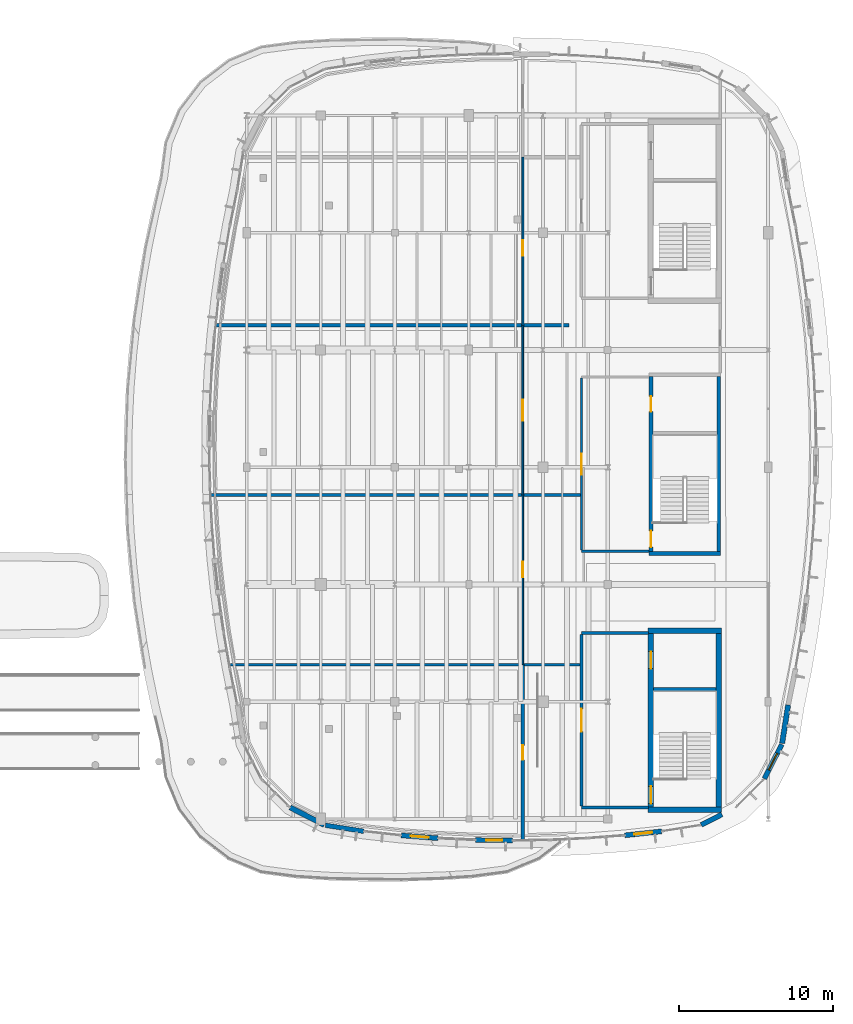
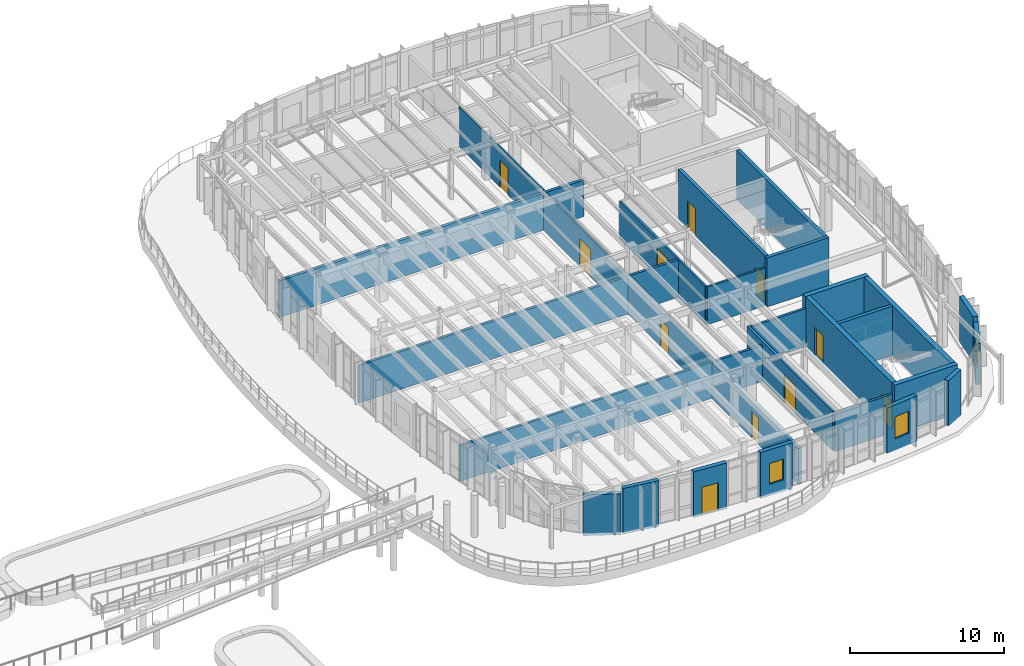
# One storey, part 88 of 111: 28 walls, 11 doors, 3 windows, 14 openings.
"""IFC4 building model written with IfcOpenShell, lengths in metres."""

from ifc_helpers import new_model, si_unit, direction, frame, frame_2d, origin, place, context, subcontext, project, spatial, rectangle, extrude, material, layer, layer_set, type_object, element, fill, save


model = new_model("IFC4")

# Units and contexts
model_context = context("Model", 3, precision=1e-05, world=origin(), true_north=direction((0.0, 1.0)))
body_context = subcontext(model_context, "Body", "Model", "MODEL_VIEW")
ifc_project = project(units=[si_unit("LENGTHUNIT", "METRE"), si_unit("AREAUNIT", "SQUARE_METRE"), si_unit("VOLUMEUNIT", "CUBIC_METRE"), si_unit("PLANEANGLEUNIT", "RADIAN"), si_unit("MASSUNIT", "GRAM", prefix="KILO")], contexts=[model_context])

# Site, building, storey
site_placement = place(None, origin())
site = spatial("IfcSite", under=ifc_project, at=site_placement, CompositionType="ELEMENT")
building_placement = place(site_placement, origin())
building = spatial("IfcBuilding", under=site, at=building_placement, Name="Corveleigh Park Community Centre", CompositionType="ELEMENT")
storey_placement = place(building_placement, frame((0.0, 0.0, 4.800048828125)))
storey = spatial("IfcBuildingStorey", under=building, at=storey_placement, Name="L01", CompositionType="ELEMENT", Elevation=4.800048828125)

# Wall, opening, window
ifc_material_1 = material(Name="Precast concrete C40/50", Category="concrete")
ifc_layer_1 = layer(ifc_material_1, 0.300048828125, Name="Precast concrete C40/50", Category="concrete")
ifc_layer_set_1 = layer_set([ifc_layer_1], Name="Precast concrete C40/50")
wall_type_1 = type_object("IfcWallType", Name="WL-EXT-300", PredefinedType="STANDARD", material=ifc_layer_set_1)
wall_1_placement = place(storey_placement, frame((151.841064453125, 57.2041015625, 0.0), z_axis=(0.0, 0.0, 1.0), x_axis=(-0.999882062567, 0.01535776538, 0.0)))
wall_1 = element("IfcWall", 1, at=wall_1_placement, inside=storey, type_object=wall_type_1, Name="V4 L01 Precast Facade Wall", PredefinedType="STANDARD", context=body_context, shape_type="SweptSolid", body=[
    extrude(rectangle(XDim=2.400390625, YDim=0.300048828125, at=frame_2d((1.2001953125, 0.0))), origin(), (0.0, 0.0, 1.0), 3.636962890625),
])
opening_1_placement = place(wall_1_placement, frame((0.675048828125, 0.0, 0.89990234375)))
opening_1 = element("IfcOpeningElement", 2, at=opening_1_placement, cuts=wall_1, Name="Opening W03", PredefinedType="OPENING", context=body_context, shape_type="SweptSolid", body=[
    extrude(rectangle(XDim=1.050048828125, YDim=1.64990234375, at=frame_2d((0.52490234375, 0.824951171875))), frame((0.0, 0.159912109375, 0.0), z_axis=(0.0, -1.0, 0.0), x_axis=(1.0, 0.0, 0.0)), (0.0, 0.0, 1.0), 0.320068359375),
])
ifc_material_2 = material(Name="Low-E double glazing", Category="glass")
window_type_1 = type_object("IfcWindowType", Name="WIN-EXT-1050x1650", PartitioningType="SINGLE_PANEL", PredefinedType="WINDOW", material=ifc_material_2)
window_1_placement = place(opening_1_placement, origin())
window_1 = element("IfcWindow", 3, at=window_1_placement, inside=storey, type_object=window_type_1, Name="V4 L01 Window 51", OverallHeight=1.64990234375, OverallWidth=1.050048828125, PartitioningType="SINGLE_PANEL", PredefinedType="WINDOW", context=body_context, shape_type="SweptSolid", body=[
    extrude(rectangle(XDim=1.050048828125, YDim=1.64990234375, at=frame_2d((0.52490234375, 0.824951171875))), frame((0.0, 0.030029296875, 0.0), z_axis=(0.0, -1.0, 0.0), x_axis=(1.0, 0.0, 0.0)), (0.0, 0.0, 1.0), 0.06005859375),
])
fill(opening_1, window_1)

# Wall
wall_2_placement = place(storey_placement, frame((142.18896484375, 57.802001953125, 0.0), z_axis=(0.0, 0.0, 1.0), x_axis=(-0.987718862461, 0.15624163574, 0.0)))
element("IfcWall", 4, at=wall_2_placement, inside=storey, type_object=wall_type_1, Name="V4 L01 Precast Facade Wall", PredefinedType="STANDARD", context=body_context, shape_type="SweptSolid", body=[
    extrude(rectangle(XDim=2.515869140625, YDim=0.300048828125, at=frame_2d((1.2578125, 0.0))), origin(), (0.0, 0.0, 1.0), 3.636962890625),
])

# Wall, opening, door
ifc_layer_2 = layer(ifc_material_1, 0.320068359375, Name="Precast concrete C40/50", Category="concrete")
ifc_layer_set_2 = layer_set([ifc_layer_2], Name="Precast concrete C40/50")
wall_type_2 = type_object("IfcWallType", Name="WL-EXT-320", PredefinedType="STANDARD", material=ifc_layer_set_2)
wall_3_placement = place(storey_placement, frame((147.007080078125, 57.35400390625, 0.0), z_axis=(0.0, 0.0, 1.0), x_axis=(-0.997056877446, 0.076665397266, 0.0)))
wall_3 = element("IfcWall", 5, at=wall_3_placement, inside=storey, type_object=wall_type_2, Name="V4 terrace wall", PredefinedType="STANDARD", context=body_context, shape_type="SweptSolid", body=[
    extrude(rectangle(XDim=2.401123046875, YDim=0.320068359375, at=frame_2d((1.20068359375, 0.0))), origin(), (0.0, 0.0, 1.0), 3.636962890625),
])
opening_2_placement = place(wall_3_placement, frame((0.610107421875, 0.0, 0.0)))
opening_2 = element("IfcOpeningElement", 6, at=opening_2_placement, cuts=wall_3, Name="Opening ED02", PredefinedType="OPENING", context=body_context, shape_type="SweptSolid", body=[
    extrude(rectangle(XDim=1.179931640625, YDim=2.239990234375, at=frame_2d((0.58984375, 1.1201171875))), frame((0.0, 0.169921875, 0.0), z_axis=(0.0, -1.0, 0.0), x_axis=(1.0, 0.0, 0.0)), (0.0, 0.0, 1.0), 0.340087890625),
])
ifc_material_3 = material(Name="Powder-coated aluminium glazed door", Category="aluminium")
door_type_1 = type_object("IfcDoorType", Name="DR-EXT-1180x2240", OperationType="NOTDEFINED", PredefinedType="DOOR", material=ifc_material_3)
door_1_placement = place(opening_2_placement, origin())
door_1 = element("IfcDoor", 7, at=door_1_placement, inside=storey, type_object=door_type_1, Name="Step 1 Learning Garden Terrace access door", OperationType="SINGLE_SWING_RIGHT", OverallHeight=2.239990234375, OverallWidth=1.179931640625, PredefinedType="DOOR", context=body_context, shape_type="SweptSolid", body=[
    extrude(rectangle(XDim=1.179931640625, YDim=2.239990234375, at=frame_2d((0.58984375, 1.1201171875))), frame((0.0, 0.02490234375, 0.0), z_axis=(0.0, -1.0, 0.0), x_axis=(1.0, 0.0, 0.0)), (0.0, 0.0, 1.0), 0.050048828125),
])
fill(opening_2, door_1)

# Wall, opening, window
wall_4_placement = place(storey_placement, frame((161.489013671875, 57.799072265625, 0.0), z_axis=(0.0, 0.0, 1.0), x_axis=(-0.994148979576, -0.108017620822, 0.0)))
wall_4 = element("IfcWall", 8, at=wall_4_placement, inside=storey, type_object=wall_type_2, Name="V4 L01 Precast Facade Wall", PredefinedType="STANDARD", context=body_context, shape_type="SweptSolid", body=[
    extrude(rectangle(XDim=2.39794921875, YDim=0.320068359375, at=frame_2d((1.198974609375, 0.0))), origin(), (0.0, 0.0, 1.0), 3.612060546875),
])
opening_3_placement = place(wall_4_placement, frame((0.6240234375, 0.0, 0.89990234375)))
opening_3 = element("IfcOpeningElement", 9, at=opening_3_placement, cuts=wall_4, Name="Opening W04", PredefinedType="OPENING", context=body_context, shape_type="SweptSolid", body=[
    extrude(rectangle(XDim=1.14990234375, YDim=1.75, at=frame_2d((0.574951171875, 0.875))), frame((0.0, 0.169921875, 0.0), z_axis=(0.0, -1.0, 0.0), x_axis=(1.0, 0.0, 0.0)), (0.0, 0.0, 1.0), 0.340087890625),
])
window_type_2 = type_object("IfcWindowType", Name="WIN-EXT-1150x1750", PartitioningType="SINGLE_PANEL", PredefinedType="WINDOW", material=ifc_material_2)
window_2_placement = place(opening_3_placement, origin())
window_2 = element("IfcWindow", 10, at=window_2_placement, inside=storey, type_object=window_type_2, Name="V4 L01 Window 52", OverallHeight=1.75, OverallWidth=1.14990234375, PartitioningType="SINGLE_PANEL", PredefinedType="WINDOW", context=body_context, shape_type="SweptSolid", body=[
    extrude(rectangle(XDim=1.14990234375, YDim=1.75, at=frame_2d((0.574951171875, 0.875))), frame((0.0, 0.030029296875, 0.0), z_axis=(0.0, -1.0, 0.0), x_axis=(1.0, 0.0, 0.0)), (0.0, 0.0, 1.0), 0.06005859375),
])
fill(opening_3, window_2)

# Wall
wall_5_placement = place(storey_placement, frame((165.405029296875, 58.89990234375, 0.0), z_axis=(0.0, 0.0, 1.0), x_axis=(-0.890819654262, -0.454357066171, 0.0)))
element("IfcWall", 11, at=wall_5_placement, inside=storey, type_object=wall_type_2, Name="V4 L01 Precast Facade Wall", PredefinedType="STANDARD", context=body_context, shape_type="SweptSolid", body=[
    extrude(rectangle(XDim=1.500732421875, YDim=0.320068359375, at=frame_2d((0.75048828125, 0.0))), origin(), (0.0, 0.0, 1.0), 3.612060546875),
])

# Wall, opening, window
wall_6_placement = place(storey_placement, frame((169.281982421875, 63.431884765625, 0.0), z_axis=(0.0, 0.0, 1.0), x_axis=(-0.454338534555, -0.890829105956, 0.0)))
wall_6 = element("IfcWall", 12, at=wall_6_placement, inside=storey, type_object=wall_type_2, Name="V4 L01 Precast Facade Wall", PredefinedType="STANDARD", context=body_context, shape_type="SweptSolid", body=[
    extrude(rectangle(XDim=2.489501953125, YDim=0.320068359375, at=frame_2d((1.24462890625, 0.0))), origin(), (0.0, 0.0, 1.0), 3.241943359375),
])
opening_4_placement = place(wall_6_placement, frame((0.64501953125, 0.0, 0.89990234375)))
opening_4 = element("IfcOpeningElement", 13, at=opening_4_placement, cuts=wall_6, Name="Opening W05", PredefinedType="OPENING", context=body_context, shape_type="SweptSolid", body=[
    extrude(rectangle(XDim=1.199951171875, YDim=1.5, at=frame_2d((0.60009765625, 0.75))), frame((0.0, 0.169921875, 0.0), z_axis=(0.0, -1.0, 0.0), x_axis=(1.0, 0.0, 0.0)), (0.0, 0.0, 1.0), 0.340087890625),
])
window_type_3 = type_object("IfcWindowType", Name="WIN-EXT-1200x1500", PartitioningType="SINGLE_PANEL", PredefinedType="WINDOW", material=ifc_material_2)
window_3_placement = place(opening_4_placement, origin())
window_3 = element("IfcWindow", 14, at=window_3_placement, inside=storey, type_object=window_type_3, Name="V4 L01 Window 53", OverallHeight=1.5, OverallWidth=1.199951171875, PartitioningType="SINGLE_PANEL", PredefinedType="WINDOW", context=body_context, shape_type="SweptSolid", body=[
    extrude(rectangle(XDim=1.199951171875, YDim=1.5, at=frame_2d((0.60009765625, 0.75))), frame((0.0, 0.030029296875, 0.0), z_axis=(0.0, -1.0, 0.0), x_axis=(1.0, 0.0, 0.0)), (0.0, 0.0, 1.0), 0.06005859375),
])
fill(opening_4, window_3)

# Walls
ifc_layer_3 = layer(ifc_material_1, 0.340087890625, Name="Precast concrete C40/50", Category="concrete")
ifc_layer_set_3 = layer_set([ifc_layer_3], Name="Precast concrete C40/50")
wall_type_3 = type_object("IfcWallType", Name="WL-EXT-340", PredefinedType="STANDARD", material=ifc_layer_set_3)
wall_7_placement = place(storey_placement, frame((169.697998046875, 65.989990234375, 0.0), z_axis=(0.0, 0.0, 1.0), x_axis=(-0.156166790267, -0.987730698935, 0.0)))
element("IfcWall", 15, at=wall_7_placement, inside=storey, type_object=wall_type_3, Name="V4 L01 Precast Facade Wall", PredefinedType="STANDARD", context=body_context, shape_type="SweptSolid", body=[
    extrude(rectangle(XDim=2.516845703125, YDim=0.340087890625, at=frame_2d((1.25830078125, 0.0))), origin(), (0.0, 0.0, 1.0), 3.612060546875),
])
wall_8_placement = place(storey_placement, frame((139.632080078125, 58.218017578125, 0.0), z_axis=(0.0, 0.0, 1.0), x_axis=(-0.890849346376, 0.454298846644, 0.0)))
element("IfcWall", 16, at=wall_8_placement, inside=storey, type_object=wall_type_3, Name="V4 L01 Precast Facade Wall", PredefinedType="STANDARD", context=body_context, shape_type="SweptSolid", body=[
    extrude(rectangle(XDim=2.48974609375, YDim=0.340087890625, at=frame_2d((1.244873046875, 0.0))), origin(), (0.0, 0.0, 1.0), 3.2490234375),
])

# Wall, opening, door
ifc_material_4 = material(Name="Gypsum acoustic stud partition", Category="gypsum")
ifc_layer_4 = layer(ifc_material_4, 0.10009765625, Name="Gypsum acoustic stud partition", Category="gypsum")
ifc_layer_set_4 = layer_set([ifc_layer_4], Name="Gypsum acoustic stud partition")
wall_type_4 = type_object("IfcWallType", Name="WL-PRT-100", PredefinedType="PARTITIONING", material=ifc_layer_set_4)
wall_9_placement = place(storey_placement, frame((152.5, 79.60009765625, 0.0), z_axis=(0.0, 0.0, 1.0), x_axis=(0.0, -1.0, 0.0)))
wall_9 = element("IfcWall", 17, at=wall_9_placement, inside=storey, type_object=wall_type_4, Name="Adult Learning Classroom 2 corridor wall", PredefinedType="PARTITIONING", context=body_context, shape_type="SweptSolid", body=[
    extrude(rectangle(XDim=11.0, YDim=0.10009765625, at=frame_2d((5.5, 0.0))), origin(), (0.0, 0.0, 1.0), 3.074951171875),
])
opening_5_placement = place(wall_9_placement, frame((4.340087890625, 0.0, 0.0)))
opening_5 = element("IfcOpeningElement", 18, at=opening_5_placement, cuts=wall_9, Name="Opening ID01", PredefinedType="OPENING", context=body_context, shape_type="SweptSolid", body=[
    extrude(rectangle(XDim=1.0, YDim=2.1201171875, at=frame_2d((0.5, 1.06005859375))), frame((0.0, 0.06005859375, 0.0), z_axis=(0.0, -1.0, 0.0), x_axis=(1.0, 0.0, 0.0)), (0.0, 0.0, 1.0), 0.1201171875),
])
ifc_material_5 = material(Name="Hardwood acoustic door leaf", Category="wood")
door_type_2 = type_object("IfcDoorType", Name="DR-INT-1000x2120", OperationType="NOTDEFINED", PredefinedType="DOOR", material=ifc_material_5)
door_2_placement = place(opening_5_placement, origin())
door_2 = element("IfcDoor", 19, at=door_2_placement, inside=storey, type_object=door_type_2, Name="Adult Learning Classroom 2 door", OperationType="SINGLE_SWING_LEFT", OverallHeight=2.1201171875, OverallWidth=1.0, PredefinedType="DOOR", context=body_context, shape_type="SweptSolid", body=[
    extrude(rectangle(XDim=1.0, YDim=2.1201171875, at=frame_2d((0.5, 1.06005859375))), frame((0.0, 0.02490234375, 0.0), z_axis=(0.0, -1.0, 0.0), x_axis=(1.0, 0.0, 0.0)), (0.0, 0.0, 1.0), 0.050048828125),
])
fill(opening_5, door_2)

ifc_layer_5 = layer(ifc_material_4, 0.114990234375, Name="Gypsum acoustic stud partition", Category="gypsum")
ifc_layer_set_5 = layer_set([ifc_layer_5], Name="Gypsum acoustic stud partition")
wall_type_5 = type_object("IfcWallType", Name="WL-PRT-115", PredefinedType="PARTITIONING", material=ifc_layer_set_5)
wall_10_placement = place(storey_placement, frame((152.5, 90.60009765625, 0.0), z_axis=(0.0, 0.0, 1.0), x_axis=(0.0, -1.0, 0.0)))
wall_10 = element("IfcWall", 20, at=wall_10_placement, inside=storey, type_object=wall_type_5, Name="Digital Inclusion Classroom 3 corridor wall", PredefinedType="PARTITIONING", context=body_context, shape_type="SweptSolid", body=[
    extrude(rectangle(XDim=11.0, YDim=0.114990234375, at=frame_2d((5.5, 0.0))), origin(), (0.0, 0.0, 1.0), 3.06103515625),
])
opening_6_placement = place(wall_10_placement, frame((4.81005859375, 0.0, 0.0)))
opening_6 = element("IfcOpeningElement", 21, at=opening_6_placement, cuts=wall_10, Name="Opening FD02", PredefinedType="OPENING", context=body_context, shape_type="SweptSolid", body=[
    extrude(rectangle(XDim=1.3798828125, YDim=2.199951171875, at=frame_2d((0.68994140625, 1.10009765625))), frame((0.0, 0.0673828125, 0.0), z_axis=(0.0, -1.0, 0.0), x_axis=(1.0, 0.0, 0.0)), (0.0, 0.0, 1.0), 0.135009765625),
])
door_type_3 = type_object("IfcDoorType", Name="DR-FIR-1380x2200", OperationType="DOUBLE_DOOR_SINGLE_SWING", PredefinedType="DOOR", material=ifc_material_5)
door_3_placement = place(opening_6_placement, origin())
door_3 = element("IfcDoor", 22, at=door_3_placement, inside=storey, type_object=door_type_3, Name="Digital Inclusion Classroom 3 door", OperationType="DOUBLE_DOOR_SINGLE_SWING", OverallHeight=2.199951171875, OverallWidth=1.3798828125, PredefinedType="DOOR", context=body_context, shape_type="SweptSolid", body=[
    extrude(rectangle(XDim=1.3798828125, YDim=2.199951171875, at=frame_2d((0.68994140625, 1.10009765625))), frame((0.0, 0.02490234375, 0.0), z_axis=(0.0, -1.0, 0.0), x_axis=(1.0, 0.0, 0.0)), (0.0, 0.0, 1.0), 0.050048828125),
])
fill(opening_6, door_3)

ifc_layer_6 = layer(ifc_material_4, 0.125, Name="Gypsum acoustic stud partition", Category="gypsum")
ifc_layer_set_6 = layer_set([ifc_layer_6], Name="Gypsum acoustic stud partition")
wall_type_6 = type_object("IfcWallType", Name="WL-PRT-125", PredefinedType="PARTITIONING", material=ifc_layer_set_6)
wall_11_placement = place(storey_placement, frame((152.5, 101.5, 0.0), z_axis=(0.0, 0.0, 1.0), x_axis=(0.0, -1.0, 0.0)))
wall_11 = element("IfcWall", 23, at=wall_11_placement, inside=storey, type_object=wall_type_6, Name="ESOL Seminar Suite and Workroom corridor wall", PredefinedType="PARTITIONING", context=body_context, shape_type="SweptSolid", body=[
    extrude(rectangle(XDim=10.89990234375, YDim=0.125, at=frame_2d((5.449951171875, 0.0))), origin(), (0.0, 0.0, 1.0), 3.14306640625),
])
opening_7_placement = place(wall_11_placement, frame((5.3798828125, 0.0, 0.0)))
opening_7 = element("IfcOpeningElement", 24, at=opening_7_placement, cuts=wall_11, Name="Opening FD05", PredefinedType="OPENING", context=body_context, shape_type="SweptSolid", body=[
    extrude(rectangle(XDim=1.02001953125, YDim=2.139892578125, at=frame_2d((0.510009765625, 1.06982421875))), frame((0.0, 0.072509765625, 0.0), z_axis=(0.0, -1.0, 0.0), x_axis=(1.0, 0.0, 0.0)), (0.0, 0.0, 1.0), 0.14501953125),
])
door_type_4 = type_object("IfcDoorType", Name="DR-FIR-1020x2140", OperationType="NOTDEFINED", PredefinedType="DOOR", material=ifc_material_5)
door_4_placement = place(opening_7_placement, origin())
door_4 = element("IfcDoor", 25, at=door_4_placement, inside=storey, type_object=door_type_4, Name="ESOL Seminar Suite and Workroom door", OperationType="SINGLE_SWING_RIGHT", OverallHeight=2.139892578125, OverallWidth=1.02001953125, PredefinedType="DOOR", context=body_context, shape_type="SweptSolid", body=[
    extrude(rectangle(XDim=1.02001953125, YDim=2.139892578125, at=frame_2d((0.510009765625, 1.06982421875))), frame((0.0, 0.02490234375, 0.0), z_axis=(0.0, -1.0, 0.0), x_axis=(1.0, 0.0, 0.0)), (0.0, 0.0, 1.0), 0.050048828125),
])
fill(opening_7, door_4)

# Wall
ifc_layer_7 = layer(ifc_material_4, 0.14990234375, Name="Gypsum acoustic stud partition", Category="gypsum")
ifc_layer_set_7 = layer_set([ifc_layer_7], Name="Gypsum acoustic stud partition")
wall_type_7 = type_object("IfcWallType", Name="WL-PRT-150", PredefinedType="PARTITIONING", material=ifc_layer_set_7)
wall_12_placement = place(storey_placement, frame((156.300048828125, 75.949951171875, 0.0), z_axis=(0.0, 0.0, 1.0), x_axis=(1.0, 0.0, 0.0)))
element("IfcWall", 26, at=wall_12_placement, inside=storey, type_object=wall_type_7, Name="CORE6 lobby south wall", PredefinedType="PARTITIONING", context=body_context, shape_type="SweptSolid", body=[
    extrude(rectangle(XDim=4.389892578125, YDim=0.14990234375, at=frame_2d((2.19482421875, 0.0))), origin(), (0.0, 0.0, 1.0), 2.988037109375),
])

# Wall, opening, door
wall_13_placement = place(storey_placement, frame((156.300048828125, 87.169921875, 0.0), z_axis=(0.0, 0.0, 1.0), x_axis=(0.0, -1.0, 0.0)))
wall_13 = element("IfcWall", 27, at=wall_13_placement, inside=storey, type_object=wall_type_7, Name="CORE6 lobby corridor wall", PredefinedType="PARTITIONING", context=body_context, shape_type="SweptSolid", body=[
    extrude(rectangle(XDim=11.139892578125, YDim=0.14990234375, at=frame_2d((5.56982421875, 0.0))), origin(), (0.0, 0.0, 1.0), 2.991943359375),
])
opening_8_placement = place(wall_13_placement, frame((4.8798828125, 0.0, 0.0)))
opening_8 = element("IfcOpeningElement", 28, at=opening_8_placement, cuts=wall_13, Name="Opening FD02", PredefinedType="OPENING", context=body_context, shape_type="SweptSolid", body=[
    extrude(rectangle(XDim=1.3798828125, YDim=2.199951171875, at=frame_2d((0.68994140625, 1.10009765625))), frame((0.0, 0.0849609375, 0.0), z_axis=(0.0, -1.0, 0.0), x_axis=(1.0, 0.0, 0.0)), (0.0, 0.0, 1.0), 0.169921875),
])
door_5_placement = place(opening_8_placement, origin())
door_5 = element("IfcDoor", 29, at=door_5_placement, inside=storey, type_object=door_type_3, Name="Lobby CORE6 corridor door L01", OperationType="DOUBLE_DOOR_SINGLE_SWING", OverallHeight=2.199951171875, OverallWidth=1.3798828125, PredefinedType="DOOR", context=body_context, shape_type="SweptSolid", body=[
    extrude(rectangle(XDim=1.3798828125, YDim=2.199951171875, at=frame_2d((0.68994140625, 1.10009765625))), frame((0.0, 0.02490234375, 0.0), z_axis=(0.0, -1.0, 0.0), x_axis=(1.0, 0.0, 0.0)), (0.0, 0.0, 1.0), 0.050048828125),
])
fill(opening_8, door_5)

# Walls
ifc_layer_8 = layer(ifc_material_4, 0.179931640625, Name="Gypsum acoustic stud partition", Category="gypsum")
ifc_layer_set_8 = layer_set([ifc_layer_8], Name="Gypsum acoustic stud partition")
wall_type_8 = type_object("IfcWallType", Name="WL-PRT-180", PredefinedType="PARTITIONING", material=ifc_layer_set_8)
wall_14_placement = place(storey_placement, frame((156.300048828125, 59.35009765625, 0.0), z_axis=(0.0, 0.0, 1.0), x_axis=(1.0, 0.0, 0.0)))
element("IfcWall", 30, at=wall_14_placement, inside=storey, type_object=wall_type_8, Name="CORE1 lobby south wall", PredefinedType="PARTITIONING", context=body_context, shape_type="SweptSolid", body=[
    extrude(rectangle(XDim=4.33984375, YDim=0.179931640625, at=frame_2d((2.169921875, 0.0))), origin(), (0.0, 0.0, 1.0), 3.06103515625),
])
wall_15_placement = place(storey_placement, frame((160.639892578125, 70.64990234375, 0.0), z_axis=(0.0, 0.0, 1.0), x_axis=(-1.0, 0.0, 0.0)))
element("IfcWall", 31, at=wall_15_placement, inside=storey, type_object=wall_type_8, Name="CORE1 lobby north wall", PredefinedType="PARTITIONING", context=body_context, shape_type="SweptSolid", body=[
    extrude(rectangle(XDim=4.33984375, YDim=0.179931640625, at=frame_2d((2.169921875, 0.0))), origin(), (0.0, 0.0, 1.0), 2.991943359375),
])

# Wall, opening, door
wall_16_placement = place(storey_placement, frame((156.300048828125, 70.570068359375, 0.0), z_axis=(0.0, 0.0, 1.0), x_axis=(0.0, -1.0, 0.0)))
wall_16 = element("IfcWall", 32, at=wall_16_placement, inside=storey, type_object=wall_type_8, Name="CORE1 lobby corridor wall", PredefinedType="PARTITIONING", context=body_context, shape_type="SweptSolid", body=[
    extrude(rectangle(XDim=11.14013671875, YDim=0.179931640625, at=frame_2d((5.570068359375, 0.0))), origin(), (0.0, 0.0, 1.0), 3.14990234375),
])
opening_9_placement = place(wall_16_placement, frame((4.830078125, 0.0, 0.0)))
opening_9 = element("IfcOpeningElement", 33, at=opening_9_placement, cuts=wall_16, Name="Opening FD01", PredefinedType="OPENING", context=body_context, shape_type="SweptSolid", body=[
    extrude(rectangle(XDim=1.47998046875, YDim=2.219970703125, at=frame_2d((0.739990234375, 1.10986328125))), frame((0.0, 0.099853515625, 0.0), z_axis=(0.0, -1.0, 0.0), x_axis=(1.0, 0.0, 0.0)), (0.0, 0.0, 1.0), 0.199951171875),
])
door_type_5 = type_object("IfcDoorType", Name="DR-FIR-1480x2220", OperationType="DOUBLE_DOOR_SINGLE_SWING", PredefinedType="DOOR", material=ifc_material_5)
door_6_placement = place(opening_9_placement, origin())
door_6 = element("IfcDoor", 34, at=door_6_placement, inside=storey, type_object=door_type_5, Name="Lobby CORE1 corridor door L01", OperationType="DOUBLE_DOOR_SINGLE_SWING", OverallHeight=2.219970703125, OverallWidth=1.47998046875, PredefinedType="DOOR", context=body_context, shape_type="SweptSolid", body=[
    extrude(rectangle(XDim=1.47998046875, YDim=2.219970703125, at=frame_2d((0.739990234375, 1.10986328125))), frame((0.0, 0.02490234375, 0.0), z_axis=(0.0, -1.0, 0.0), x_axis=(1.0, 0.0, 0.0)), (0.0, 0.0, 1.0), 0.050048828125),
])
fill(opening_9, door_6)

# Walls
wall_17_placement = place(storey_placement, frame((133.47705078125, 68.60009765625, 0.0), z_axis=(0.0, 0.0, 1.0), x_axis=(1.0, 0.0, 0.0)))
element("IfcWall", 35, at=wall_17_placement, inside=storey, type_object=wall_type_8, Name="Adult Learning Classroom 1 partition", PredefinedType="PARTITIONING", context=body_context, shape_type="SweptSolid", body=[
    extrude(rectangle(XDim=22.744873046875, YDim=0.179931640625, at=frame_2d((11.37255859375, 0.0))), origin(), (0.0, 0.0, 1.0), 2.863037109375),
])
ifc_material_6 = material(Name="Masonry blockwork 7.3 MPa", Category="masonry")
ifc_layer_9 = layer(ifc_material_6, 0.195068359375, Name="Masonry blockwork 7.3 MPa", Category="masonry")
ifc_layer_set_9 = layer_set([ifc_layer_9], Name="Masonry blockwork 7.3 MPa")
wall_type_9 = type_object("IfcWallType", Name="WL-PRT-195", PredefinedType="PARTITIONING", material=ifc_layer_set_9)
wall_18_placement = place(storey_placement, frame((132.2509765625, 79.60009765625, 0.0), z_axis=(0.0, 0.0, 1.0), x_axis=(1.0, 0.0, 0.0)))
element("IfcWall", 36, at=wall_18_placement, inside=storey, type_object=wall_type_9, Name="Adult Learning Classroom 2 partition", PredefinedType="PARTITIONING", context=body_context, shape_type="SweptSolid", body=[
    extrude(rectangle(XDim=23.986083984375, YDim=0.195068359375, at=frame_2d((11.9931640625, 0.0))), origin(), (0.0, 0.0, 1.0), 2.991943359375),
])
ifc_layer_10 = layer(ifc_material_6, 0.215087890625, Name="Masonry blockwork 7.3 MPa", Category="masonry")
ifc_layer_set_10 = layer_set([ifc_layer_10], Name="Masonry blockwork 7.3 MPa")
wall_type_10 = type_object("IfcWallType", Name="WL-PRT-215", PredefinedType="PARTITIONING", material=ifc_layer_set_10)
wall_19_placement = place(storey_placement, frame((132.593017578125, 90.60009765625, 0.0), z_axis=(0.0, 0.0, 1.0), x_axis=(1.0, 0.0, 0.0)))
element("IfcWall", 37, at=wall_19_placement, inside=storey, type_object=wall_type_10, Name="Digital Inclusion Classroom 3 partition", PredefinedType="PARTITIONING", context=body_context, shape_type="SweptSolid", body=[
    extrude(rectangle(XDim=22.906982421875, YDim=0.215087890625, at=frame_2d((11.45361328125, 0.0))), origin(), (0.0, 0.0, 1.0), 2.9169921875),
])

# Wall, opening, door
ifc_layer_11 = layer(ifc_material_6, 0.22998046875, Name="Masonry blockwork 7.3 MPa", Category="masonry")
ifc_layer_set_11 = layer_set([ifc_layer_11], Name="Masonry blockwork 7.3 MPa")
wall_type_11 = type_object("IfcWallType", Name="WL-PRT-230", PredefinedType="PARTITIONING", material=ifc_layer_set_11)
wall_20_placement = place(storey_placement, frame((152.5, 68.60009765625, 0.0), z_axis=(0.0, 0.0, 1.0), x_axis=(0.0, -1.0, 0.0)))
wall_20 = element("IfcWall", 38, at=wall_20_placement, inside=storey, type_object=wall_type_11, Name="Adult Learning Classroom 1 corridor wall", PredefinedType="PARTITIONING", context=body_context, shape_type="SweptSolid", body=[
    extrude(rectangle(XDim=11.385986328125, YDim=0.22998046875, at=frame_2d((5.69287109375, 0.0))), origin(), (0.0, 0.0, 1.0), 2.837890625),
])
opening_10_placement = place(wall_20_placement, frame((5.222900390625, 0.0, 0.0)))
opening_10 = element("IfcOpeningElement", 39, at=opening_10_placement, cuts=wall_20, Name="Opening FD09", PredefinedType="OPENING", context=body_context, shape_type="SweptSolid", body=[
    extrude(rectangle(XDim=0.93994140625, YDim=2.10009765625, at=frame_2d((0.469970703125, 1.050048828125))), frame((0.0, 0.125, 0.0), z_axis=(0.0, -1.0, 0.0), x_axis=(1.0, 0.0, 0.0)), (0.0, 0.0, 1.0), 0.25),
])
door_type_6 = type_object("IfcDoorType", Name="DR-FIR-0940x2100", OperationType="NOTDEFINED", PredefinedType="DOOR", material=ifc_material_5)
door_7_placement = place(opening_10_placement, origin())
door_7 = element("IfcDoor", 40, at=door_7_placement, inside=storey, type_object=door_type_6, Name="Adult Learning Classroom 1 door", OperationType="SINGLE_SWING_RIGHT", OverallHeight=2.10009765625, OverallWidth=0.93994140625, PredefinedType="DOOR", context=body_context, shape_type="SweptSolid", body=[
    extrude(rectangle(XDim=0.93994140625, YDim=2.10009765625, at=frame_2d((0.469970703125, 1.050048828125))), frame((0.0, 0.02490234375, 0.0), z_axis=(0.0, -1.0, 0.0), x_axis=(1.0, 0.0, 0.0)), (0.0, 0.0, 1.0), 0.050048828125),
])
fill(opening_10, door_7)

# Walls
ifc_material_7 = material(Name="Concrete C40/50", Category="concrete")
ifc_layer_12 = layer(ifc_material_7, 0.25, Name="Concrete C40/50", Category="concrete")
ifc_layer_set_12 = layer_set([ifc_layer_12], Name="Concrete C40/50")
wall_type_12 = type_object("IfcWallType", Name="WL-SHR-250", PredefinedType="SHEAR", material=ifc_layer_set_12)
wall_21_placement = place(storey_placement, frame((160.97509765625, 67.0, 0.0), z_axis=(0.0, 0.0, 1.0), x_axis=(1.0, 0.0, 0.0)))
element("IfcWall", 41, at=wall_21_placement, inside=storey, type_object=wall_type_12, Name="CORE1 shaft wall", PredefinedType="SHEAR", context=body_context, shape_type="SweptSolid", body=[
    extrude(rectangle(XDim=4.0498046875, YDim=0.25, at=frame_2d((2.02490234375, 0.0))), origin(), (0.0, 0.0, 1.0), 3.89990234375),
])
wall_22_placement = place(storey_placement, frame((160.675048828125, 75.800048828125, 0.0), z_axis=(0.0, 0.0, 1.0), x_axis=(1.0, 0.0, 0.0)))
element("IfcWall", 42, at=wall_22_placement, inside=storey, type_object=wall_type_12, Name="CORE6 south shear wall", PredefinedType="SHEAR", context=body_context, shape_type="SweptSolid", body=[
    extrude(rectangle(XDim=4.64990234375, YDim=0.25, at=frame_2d((2.324951171875, 0.0))), origin(), (0.0, 0.0, 1.0), 3.89990234375),
])
wall_23_placement = place(storey_placement, frame((165.199951171875, 75.925048828125, 0.0), z_axis=(0.0, 0.0, 1.0), x_axis=(0.0, 1.0, 0.0)))
element("IfcWall", 43, at=wall_23_placement, inside=storey, type_object=wall_type_12, Name="CORE6 east shear wall", PredefinedType="SHEAR", context=body_context, shape_type="SweptSolid", body=[
    extrude(rectangle(XDim=11.349853515625, YDim=0.25, at=frame_2d((5.6748046875, 0.0))), origin(), (0.0, 0.0, 1.0), 3.89990234375),
])

# Wall, openings, doors
wall_24_placement = place(storey_placement, frame((160.800048828125, 87.27490234375, 0.0), z_axis=(0.0, 0.0, 1.0), x_axis=(0.0, -1.0, 0.0)))
wall_24 = element("IfcWall", 44, at=wall_24_placement, inside=storey, type_object=wall_type_12, Name="CORE6 west lobby wall", PredefinedType="SHEAR", context=body_context, shape_type="SweptSolid", body=[
    extrude(rectangle(XDim=11.349853515625, YDim=0.25, at=frame_2d((5.6748046875, 0.0))), origin(), (0.0, 0.0, 1.0), 3.89990234375),
])
opening_11_placement = place(wall_24_placement, frame((1.27490234375, 0.0, 0.0)))
opening_11 = element("IfcOpeningElement", 45, at=opening_11_placement, cuts=wall_24, Name="Opening LD02", PredefinedType="OPENING", context=body_context, shape_type="SweptSolid", body=[
    extrude(rectangle(XDim=1.0, YDim=2.14990234375, at=frame_2d((0.5, 1.074951171875))), frame((0.0, 0.135009765625, 0.0), z_axis=(0.0, -1.0, 0.0), x_axis=(1.0, 0.0, 0.0)), (0.0, 0.0, 1.0), 0.27001953125),
])
opening_12_placement = place(wall_24_placement, frame((9.9951171875, 0.0, 0.0)))
opening_12 = element("IfcOpeningElement", 46, at=opening_12_placement, cuts=wall_24, Name="Opening FD04", PredefinedType="OPENING", context=body_context, shape_type="SweptSolid", body=[
    extrude(rectangle(XDim=1.06005859375, YDim=2.14990234375, at=frame_2d((0.530029296875, 1.074951171875))), frame((0.0, 0.135009765625, 0.0), z_axis=(0.0, -1.0, 0.0), x_axis=(1.0, 0.0, 0.0)), (0.0, 0.0, 1.0), 0.27001953125),
])
door_type_7 = type_object("IfcDoorType", Name="DR-FIR-1060x2150", OperationType="NOTDEFINED", PredefinedType="DOOR", material=ifc_material_5)
door_8_placement = place(opening_12_placement, origin())
door_8 = element("IfcDoor", 47, at=door_8_placement, inside=storey, type_object=door_type_7, Name="Stair ST6 fire door L01", OperationType="SINGLE_SWING_LEFT", OverallHeight=2.14990234375, OverallWidth=1.06005859375, PredefinedType="DOOR", context=body_context, shape_type="SweptSolid", body=[
    extrude(rectangle(XDim=1.06005859375, YDim=2.14990234375, at=frame_2d((0.530029296875, 1.074951171875))), frame((0.0, 0.02490234375, 0.0), z_axis=(0.0, -1.0, 0.0), x_axis=(1.0, 0.0, 0.0)), (0.0, 0.0, 1.0), 0.050048828125),
])
fill(opening_12, door_8)
ifc_material_8 = material(Name="Brushed stainless steel lift car", Category="steel")
door_type_8 = type_object("IfcDoorType", Name="DR-LFT-1000x2150", OperationType="SLIDING_TO_LEFT", PredefinedType="DOOR", material=ifc_material_8)
door_9_placement = place(opening_11_placement, origin())
door_9 = element("IfcDoor", 48, at=door_9_placement, inside=storey, type_object=door_type_8, Name="Lift PL2 landing door L01", OperationType="SLIDING_TO_LEFT", OverallHeight=2.14990234375, OverallWidth=1.0, PredefinedType="DOOR", context=body_context, shape_type="SweptSolid", body=[
    extrude(rectangle(XDim=1.0, YDim=2.14990234375, at=frame_2d((0.5, 1.074951171875))), frame((0.0, 0.02490234375, 0.0), z_axis=(0.0, -1.0, 0.0), x_axis=(1.0, 0.0, 0.0)), (0.0, 0.0, 1.0), 0.050048828125),
])
fill(opening_11, door_9)

# Walls
ifc_layer_13 = layer(ifc_material_7, 0.35009765625, Name="Concrete C40/50", Category="concrete")
ifc_layer_set_13 = layer_set([ifc_layer_13], Name="Concrete C40/50")
wall_type_13 = type_object("IfcWallType", Name="WL-SHR-350", PredefinedType="SHEAR", material=ifc_layer_set_13)
wall_25_placement = place(storey_placement, frame((160.625, 59.199951171875, 0.0), z_axis=(0.0, 0.0, 1.0), x_axis=(1.0, 0.0, 0.0)))
element("IfcWall", 49, at=wall_25_placement, inside=storey, type_object=wall_type_13, Name="CORE1 south shear wall", PredefinedType="SHEAR", context=body_context, shape_type="SweptSolid", body=[
    extrude(rectangle(XDim=4.75, YDim=0.35009765625, at=frame_2d((2.375, 0.0))), origin(), (0.0, 0.0, 1.0), 3.89990234375),
])
wall_26_placement = place(storey_placement, frame((165.199951171875, 59.375, 0.0), z_axis=(0.0, 0.0, 1.0), x_axis=(0.0, 1.0, 0.0)))
element("IfcWall", 50, at=wall_26_placement, inside=storey, type_object=wall_type_13, Name="CORE1 east shear wall", PredefinedType="SHEAR", context=body_context, shape_type="SweptSolid", body=[
    extrude(rectangle(XDim=11.25, YDim=0.35009765625, at=frame_2d((5.625, 0.0))), origin(), (0.0, 0.0, 1.0), 3.89990234375),
])
wall_27_placement = place(storey_placement, frame((165.375, 70.800048828125, 0.0), z_axis=(0.0, 0.0, 1.0), x_axis=(-1.0, 0.0, 0.0)))
element("IfcWall", 51, at=wall_27_placement, inside=storey, type_object=wall_type_13, Name="CORE1 north shear wall", PredefinedType="SHEAR", context=body_context, shape_type="SweptSolid", body=[
    extrude(rectangle(XDim=4.75, YDim=0.35009765625, at=frame_2d((2.375, 0.0))), origin(), (0.0, 0.0, 1.0), 3.89990234375),
])

# Wall, openings, doors
wall_28_placement = place(storey_placement, frame((160.800048828125, 70.625, 0.0), z_axis=(0.0, 0.0, 1.0), x_axis=(0.0, -1.0, 0.0)))
wall_28 = element("IfcWall", 52, at=wall_28_placement, inside=storey, type_object=wall_type_13, Name="CORE1 west lobby wall", PredefinedType="SHEAR", context=body_context, shape_type="SweptSolid", body=[
    extrude(rectangle(XDim=11.25, YDim=0.35009765625, at=frame_2d((5.625, 0.0))), origin(), (0.0, 0.0, 1.0), 3.89990234375),
])
opening_13_placement = place(wall_28_placement, frame((1.175048828125, 0.0, 0.0)))
opening_13 = element("IfcOpeningElement", 53, at=opening_13_placement, cuts=wall_28, Name="Opening LD01", PredefinedType="OPENING", context=body_context, shape_type="SweptSolid", body=[
    extrude(rectangle(XDim=1.10009765625, YDim=2.199951171875, at=frame_2d((0.550048828125, 1.10009765625))), frame((0.0, 0.18505859375, 0.0), z_axis=(0.0, -1.0, 0.0), x_axis=(1.0, 0.0, 0.0)), (0.0, 0.0, 1.0), 0.3701171875),
])
opening_14_placement = place(wall_28_placement, frame((9.9150390625, 0.0, 0.0)))
opening_14 = element("IfcOpeningElement", 54, at=opening_14_placement, cuts=wall_28, Name="Opening FD03", PredefinedType="OPENING", context=body_context, shape_type="SweptSolid", body=[
    extrude(rectangle(XDim=1.1201171875, YDim=2.159912109375, at=frame_2d((0.56005859375, 1.080078125))), frame((0.0, 0.18505859375, 0.0), z_axis=(0.0, -1.0, 0.0), x_axis=(1.0, 0.0, 0.0)), (0.0, 0.0, 1.0), 0.3701171875),
])
door_type_9 = type_object("IfcDoorType", Name="DR-FIR-1120x2160", OperationType="NOTDEFINED", PredefinedType="DOOR", material=ifc_material_5)
door_10_placement = place(opening_14_placement, origin())
door_10 = element("IfcDoor", 55, at=door_10_placement, inside=storey, type_object=door_type_9, Name="Stair ST1 fire door L01", OperationType="SINGLE_SWING_LEFT", OverallHeight=2.159912109375, OverallWidth=1.1201171875, PredefinedType="DOOR", context=body_context, shape_type="SweptSolid", body=[
    extrude(rectangle(XDim=1.1201171875, YDim=2.159912109375, at=frame_2d((0.56005859375, 1.080078125))), frame((0.0, 0.02490234375, 0.0), z_axis=(0.0, -1.0, 0.0), x_axis=(1.0, 0.0, 0.0)), (0.0, 0.0, 1.0), 0.050048828125),
])
fill(opening_14, door_10)
door_type_10 = type_object("IfcDoorType", Name="DR-LFT-1100x2200", OperationType="DOUBLE_DOOR_SLIDING", PredefinedType="DOOR", material=ifc_material_8)
door_11_placement = place(opening_13_placement, origin())
door_11 = element("IfcDoor", 56, at=door_11_placement, inside=storey, type_object=door_type_10, Name="Lift FL1 landing door L01", OperationType="DOUBLE_DOOR_SLIDING", OverallHeight=2.199951171875, OverallWidth=1.10009765625, PredefinedType="DOOR", context=body_context, shape_type="SweptSolid", body=[
    extrude(rectangle(XDim=1.10009765625, YDim=2.199951171875, at=frame_2d((0.550048828125, 1.10009765625))), frame((0.0, 0.02490234375, 0.0), z_axis=(0.0, -1.0, 0.0), x_axis=(1.0, 0.0, 0.0)), (0.0, 0.0, 1.0), 0.050048828125),
])
fill(opening_13, door_11)

save(model, "model.ifc")
